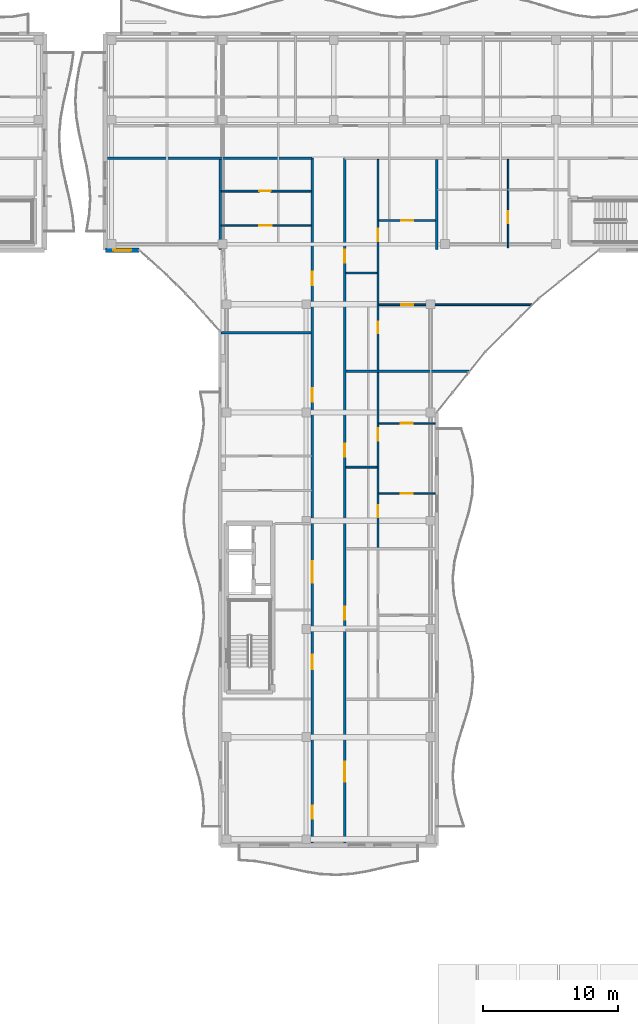
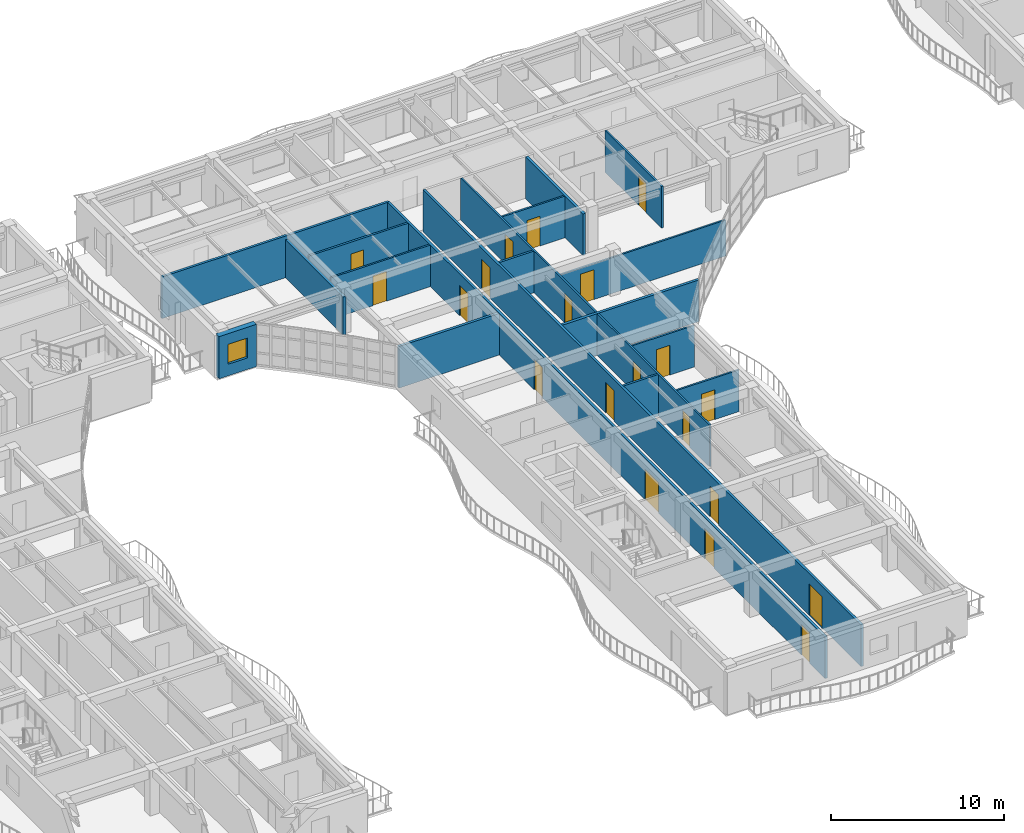
# One storey, part 51 of 89: 20 doors, 19 walls, 1 window, 21 openings.
"""IFC4 building model written with IfcOpenShell, lengths in metres."""

from ifc_helpers import new_model, si_unit, direction, frame, frame_2d, origin, place, context, subcontext, project, spatial, rectangle, extrude, material, layer, layer_set, type_object, element, fill, save


model = new_model("IFC4")

# Units and contexts
model_context = context("Model", 3, precision=1e-05, world=origin(), true_north=direction((0.0, 1.0)))
body_context = subcontext(model_context, "Body", "Model", "MODEL_VIEW")
ifc_project = project(units=[si_unit("LENGTHUNIT", "METRE"), si_unit("AREAUNIT", "SQUARE_METRE"), si_unit("VOLUMEUNIT", "CUBIC_METRE"), si_unit("PLANEANGLEUNIT", "RADIAN"), si_unit("MASSUNIT", "GRAM", prefix="KILO")], contexts=[model_context])

# Site, building, storey
site_placement = place(None, origin())
site = spatial("IfcSite", under=ifc_project, at=site_placement, CompositionType="ELEMENT")
building_placement = place(site_placement, origin())
building = spatial("IfcBuilding", under=site, at=building_placement, Name="Keldmere Railside Commons", CompositionType="ELEMENT")
storey_placement = place(building_placement, frame((0.0, 0.0, 7.360107421875)))
storey = spatial("IfcBuildingStorey", under=building, at=storey_placement, Name="L02", CompositionType="ELEMENT", Elevation=7.360107421875)

# Walls
ifc_material_1 = material(Name="Acoustic Gypsum Board Partition", Category="gypsum")
ifc_layer_1 = layer(ifc_material_1, 0.179931640625, Name="Acoustic Demising Partition 180")
ifc_layer_set_1 = layer_set([ifc_layer_1], Name="Acoustic Gypsum Board Partition")
wall_type_1 = type_object("IfcWallType", Name="Acoustic Demising Partition 180", PredefinedType="PARTITIONING", material=ifc_layer_set_1)
wall_1_placement = place(storey_placement, frame((64.0, 100.050048828125, 0.0), z_axis=(0.0, 0.0, 1.0), x_axis=(0.0, 1.0, 0.0)))
element("IfcWall", 1, at=wall_1_placement, inside=storey, type_object=wall_type_1, Name="IW-1 IW-L02-0555", PredefinedType="PARTITIONING", context=body_context, shape_type="SweptSolid", body=[
    extrude(rectangle(XDim=6.669921875, YDim=0.179931640625, at=frame_2d((3.3349609375, 0.0))), origin(), (0.0, 0.0, 1.0), 2.934814453125),
])
wall_2_placement = place(storey_placement, frame((48.0, 100.050048828125, 0.0), z_axis=(0.0, 0.0, 1.0), x_axis=(0.0, 1.0, 0.0)))
element("IfcWall", 2, at=wall_2_placement, inside=storey, type_object=wall_type_1, Name="IW-1 IW-L02-0556", PredefinedType="PARTITIONING", context=body_context, shape_type="SweptSolid", body=[
    extrude(rectangle(XDim=6.669921875, YDim=0.179931640625, at=frame_2d((3.3349609375, 0.0))), origin(), (0.0, 0.0, 1.0), 2.679931640625),
])
wall_3_placement = place(storey_placement, frame((57.280029296875, 91.050048828125, 0.0), z_axis=(0.0, 0.0, 1.0), x_axis=(1.0, 0.0, 0.0)))
element("IfcWall", 3, at=wall_3_placement, inside=storey, type_object=wall_type_1, Name="IW-1 IW-L02-0561", PredefinedType="PARTITIONING", context=body_context, shape_type="SweptSolid", body=[
    extrude(rectangle(XDim=9.115478515625, YDim=0.179931640625, at=frame_2d((4.5576171875, 0.0))), origin(), (0.0, 0.0, 1.0), 2.934814453125),
])
wall_4_placement = place(storey_placement, frame((48.0400390625, 93.89990234375, 0.0), z_axis=(0.0, 0.0, 1.0), x_axis=(1.0, 0.0, 0.0)))
element("IfcWall", 4, at=wall_4_placement, inside=storey, type_object=wall_type_1, Name="IW-1 IW-L02-0587", PredefinedType="PARTITIONING", context=body_context, shape_type="SweptSolid", body=[
    extrude(rectangle(XDim=6.679931640625, YDim=0.179931640625, at=frame_2d((3.33984375, 0.0))), origin(), (0.0, 0.0, 1.0), 2.934814453125),
])

# Wall, openings, doors
ifc_layer_2 = layer(ifc_material_1, 0.1201171875, Name="Apartment Interior Partition 120")
ifc_layer_set_2 = layer_set([ifc_layer_2], Name="Acoustic Gypsum Board Partition")
wall_type_2 = type_object("IfcWallType", Name="Apartment Interior Partition 120", PredefinedType="PARTITIONING", material=ifc_layer_set_2)
wall_5_placement = place(storey_placement, frame((59.659912109375, 78.0, 0.0), z_axis=(0.0, 0.0, 1.0), x_axis=(0.0, 1.0, 0.0)))
wall_5 = element("IfcWall", 5, at=wall_5_placement, inside=storey, type_object=wall_type_2, Name="IW-4 IW-L02-0565", PredefinedType="PARTITIONING", context=body_context, shape_type="SweptSolid", body=[
    extrude(rectangle(XDim=12.9599609375, YDim=0.1201171875, at=frame_2d((6.47998046875, 0.0))), origin(), (0.0, 0.0, 1.0), 2.934814453125),
])
opening_1_placement = place(wall_5_placement, frame((2.264892578125, 0.0, 0.0)))
opening_1 = element("IfcOpeningElement", 6, at=opening_1_placement, cuts=wall_5, Name="Opening ID-04", PredefinedType="OPENING", context=body_context, shape_type="SweptSolid", body=[
    extrude(rectangle(XDim=0.860107421875, YDim=2.10009765625, at=frame_2d((0.43017578125, 1.050048828125))), frame((0.0, 0.070068359375, 0.0), z_axis=(0.0, -1.0, 0.0), x_axis=(1.0, 0.0, 0.0)), (0.0, 0.0, 1.0), 0.14013671875),
])
opening_2_placement = place(wall_5_placement, frame((7.919921875, 0.0, 0.0)))
opening_2 = element("IfcOpeningElement", 7, at=opening_2_placement, cuts=wall_5, Name="Opening ID-03", PredefinedType="OPENING", context=body_context, shape_type="SweptSolid", body=[
    extrude(rectangle(XDim=0.919921875, YDim=2.10009765625, at=frame_2d((0.4599609375, 1.050048828125))), frame((0.0, 0.070068359375, 0.0), z_axis=(0.0, -1.0, 0.0), x_axis=(1.0, 0.0, 0.0)), (0.0, 0.0, 1.0), 0.14013671875),
])
ifc_material_2 = material(Name="Engineered Oak Timber", Category="wood")
door_type_1 = type_object("IfcDoorType", Name="Apartment Bathroom Door 860x2100", OperationType="NOTDEFINED", PredefinedType="DOOR", material=ifc_material_2)
door_1_placement = place(opening_1_placement, origin())
door_1 = element("IfcDoor", 8, at=door_1_placement, inside=storey, type_object=door_type_1, Name="ID-04 IDR-L02-0453", OperationType="SINGLE_SWING_LEFT", OverallHeight=2.10009765625, OverallWidth=0.860107421875, PredefinedType="DOOR", context=body_context, shape_type="SweptSolid", body=[
    extrude(rectangle(XDim=0.860107421875, YDim=2.10009765625, at=frame_2d((0.43017578125, 1.050048828125))), frame((0.0, 0.02490234375, 0.0), z_axis=(0.0, -1.0, 0.0), x_axis=(1.0, 0.0, 0.0)), (0.0, 0.0, 1.0), 0.050048828125),
])
fill(opening_1, door_1)
door_type_2 = type_object("IfcDoorType", Name="Kitchen Pocket-Frame Swing Door 920x2100", OperationType="NOTDEFINED", PredefinedType="DOOR", material=ifc_material_2)
door_2_placement = place(opening_2_placement, origin())
door_2 = element("IfcDoor", 9, at=door_2_placement, inside=storey, type_object=door_type_2, Name="ID-03 IDR-L02-0454", OperationType="SINGLE_SWING_RIGHT", OverallHeight=2.10009765625, OverallWidth=0.919921875, PredefinedType="DOOR", context=body_context, shape_type="SweptSolid", body=[
    extrude(rectangle(XDim=0.919921875, YDim=2.10009765625, at=frame_2d((0.4599609375, 1.050048828125))), frame((0.0, 0.02490234375, 0.0), z_axis=(0.0, -1.0, 0.0), x_axis=(1.0, 0.0, 0.0)), (0.0, 0.0, 1.0), 0.050048828125),
])
fill(opening_2, door_2)

# Wall, opening, door
wall_6_placement = place(storey_placement, frame((59.719970703125, 82.02001953125, 0.0), z_axis=(0.0, 0.0, 1.0), x_axis=(1.0, 0.0, 0.0)))
wall_6 = element("IfcWall", 10, at=wall_6_placement, inside=storey, type_object=wall_type_2, Name="IW-4 IW-L02-0567", PredefinedType="PARTITIONING", context=body_context, shape_type="SweptSolid", body=[
    extrude(rectangle(XDim=4.159912109375, YDim=0.1201171875, at=frame_2d((2.080078125, 0.0))), origin(), (0.0, 0.0, 1.0), 2.934814453125),
])
opening_3_placement = place(wall_6_placement, frame((1.6298828125, 0.0, 0.0)))
opening_3 = element("IfcOpeningElement", 11, at=opening_3_placement, cuts=wall_6, Name="Opening ID-01", PredefinedType="OPENING", context=body_context, shape_type="SweptSolid", body=[
    extrude(rectangle(XDim=0.89990234375, YDim=2.10009765625, at=frame_2d((0.449951171875, 1.050048828125))), frame((0.0, 0.070068359375, 0.0), z_axis=(0.0, -1.0, 0.0), x_axis=(1.0, 0.0, 0.0)), (0.0, 0.0, 1.0), 0.14013671875),
])
door_type_3 = type_object("IfcDoorType", Name="Primary Bedroom Door 900x2100", OperationType="NOTDEFINED", PredefinedType="DOOR", material=ifc_material_2)
door_3_placement = place(opening_3_placement, origin())
door_3 = element("IfcDoor", 12, at=door_3_placement, inside=storey, type_object=door_type_3, Name="ID-01 IDR-L02-0456", OperationType="SINGLE_SWING_RIGHT", OverallHeight=2.10009765625, OverallWidth=0.89990234375, PredefinedType="DOOR", context=body_context, shape_type="SweptSolid", body=[
    extrude(rectangle(XDim=0.89990234375, YDim=2.10009765625, at=frame_2d((0.449951171875, 1.050048828125))), frame((0.0, 0.02490234375, 0.0), z_axis=(0.0, -1.0, 0.0), x_axis=(1.0, 0.0, 0.0)), (0.0, 0.0, 1.0), 0.050048828125),
])
fill(opening_3, door_3)

wall_7_placement = place(storey_placement, frame((59.719970703125, 87.199951171875, 0.0), z_axis=(0.0, 0.0, 1.0), x_axis=(1.0, 0.0, 0.0)))
wall_7 = element("IfcWall", 13, at=wall_7_placement, inside=storey, type_object=wall_type_2, Name="IW-4 IW-L02-0568", PredefinedType="PARTITIONING", context=body_context, shape_type="SweptSolid", body=[
    extrude(rectangle(XDim=4.159912109375, YDim=0.1201171875, at=frame_2d((2.080078125, 0.0))), origin(), (0.0, 0.0, 1.0), 2.934814453125),
])
opening_4_placement = place(wall_7_placement, frame((1.639892578125, 0.0, 0.0)))
opening_4 = element("IfcOpeningElement", 14, at=opening_4_placement, cuts=wall_7, Name="Opening ID-02", PredefinedType="OPENING", context=body_context, shape_type="SweptSolid", body=[
    extrude(rectangle(XDim=0.8798828125, YDim=2.10009765625, at=frame_2d((0.43994140625, 1.050048828125))), frame((0.0, 0.070068359375, 0.0), z_axis=(0.0, -1.0, 0.0), x_axis=(1.0, 0.0, 0.0)), (0.0, 0.0, 1.0), 0.14013671875),
])
door_type_4 = type_object("IfcDoorType", Name="Secondary Bedroom Door 880x2100", OperationType="NOTDEFINED", PredefinedType="DOOR", material=ifc_material_2)
door_4_placement = place(opening_4_placement, origin())
door_4 = element("IfcDoor", 15, at=door_4_placement, inside=storey, type_object=door_type_4, Name="ID-02 IDR-L02-0457", OperationType="SINGLE_SWING_LEFT", OverallHeight=2.10009765625, OverallWidth=0.8798828125, PredefinedType="DOOR", context=body_context, shape_type="SweptSolid", body=[
    extrude(rectangle(XDim=0.8798828125, YDim=2.10009765625, at=frame_2d((0.43994140625, 1.050048828125))), frame((0.0, 0.02490234375, 0.0), z_axis=(0.0, -1.0, 0.0), x_axis=(1.0, 0.0, 0.0)), (0.0, 0.0, 1.0), 0.050048828125),
])
fill(opening_4, door_4)

# Wall, openings, doors
wall_8_placement = place(storey_placement, frame((59.659912109375, 91.139892578125, 0.0), z_axis=(0.0, 0.0, 1.0), x_axis=(0.0, 1.0, 0.0)))
wall_8 = element("IfcWall", 16, at=wall_8_placement, inside=storey, type_object=wall_type_2, Name="IW-4 IW-L02-0569", PredefinedType="PARTITIONING", context=body_context, shape_type="SweptSolid", body=[
    extrude(rectangle(XDim=15.580078125, YDim=0.1201171875, at=frame_2d((7.7900390625, 0.0))), origin(), (0.0, 0.0, 1.0), 2.934814453125),
])
opening_5_placement = place(wall_8_placement, frame((2.724609375, 0.0, 0.0)))
opening_5 = element("IfcOpeningElement", 17, at=opening_5_placement, cuts=wall_8, Name="Opening ID-04", PredefinedType="OPENING", context=body_context, shape_type="SweptSolid", body=[
    extrude(rectangle(XDim=0.860107421875, YDim=2.10009765625, at=frame_2d((0.43017578125, 1.050048828125))), frame((0.0, 0.070068359375, 0.0), z_axis=(0.0, -1.0, 0.0), x_axis=(1.0, 0.0, 0.0)), (0.0, 0.0, 1.0), 0.14013671875),
])
opening_6_placement = place(wall_8_placement, frame((9.52490234375, 0.0, 0.0)))
opening_6 = element("IfcOpeningElement", 18, at=opening_6_placement, cuts=wall_8, Name="Opening ID-03", PredefinedType="OPENING", context=body_context, shape_type="SweptSolid", body=[
    extrude(rectangle(XDim=0.919921875, YDim=2.10009765625, at=frame_2d((0.4599609375, 1.050048828125))), frame((0.0, 0.070068359375, 0.0), z_axis=(0.0, -1.0, 0.0), x_axis=(1.0, 0.0, 0.0)), (0.0, 0.0, 1.0), 0.14013671875),
])
door_5_placement = place(opening_5_placement, origin())
door_5 = element("IfcDoor", 19, at=door_5_placement, inside=storey, type_object=door_type_1, Name="ID-04 IDR-L02-0458", OperationType="SINGLE_SWING_RIGHT", OverallHeight=2.10009765625, OverallWidth=0.860107421875, PredefinedType="DOOR", context=body_context, shape_type="SweptSolid", body=[
    extrude(rectangle(XDim=0.860107421875, YDim=2.10009765625, at=frame_2d((0.43017578125, 1.050048828125))), frame((0.0, 0.02490234375, 0.0), z_axis=(0.0, -1.0, 0.0), x_axis=(1.0, 0.0, 0.0)), (0.0, 0.0, 1.0), 0.050048828125),
])
fill(opening_5, door_5)
door_6_placement = place(opening_6_placement, origin())
door_6 = element("IfcDoor", 20, at=door_6_placement, inside=storey, type_object=door_type_2, Name="ID-03 IDR-L02-0459", OperationType="SINGLE_SWING_LEFT", OverallHeight=2.10009765625, OverallWidth=0.919921875, PredefinedType="DOOR", context=body_context, shape_type="SweptSolid", body=[
    extrude(rectangle(XDim=0.919921875, YDim=2.10009765625, at=frame_2d((0.4599609375, 1.050048828125))), frame((0.0, 0.02490234375, 0.0), z_axis=(0.0, -1.0, 0.0), x_axis=(1.0, 0.0, 0.0)), (0.0, 0.0, 1.0), 0.050048828125),
])
fill(opening_6, door_6)

# Wall, opening, door
wall_9_placement = place(storey_placement, frame((59.719970703125, 95.969970703125, 0.0), z_axis=(0.0, 0.0, 1.0), x_axis=(1.0, 0.0, 0.0)))
wall_9 = element("IfcWall", 21, at=wall_9_placement, inside=storey, type_object=wall_type_2, Name="IW-4 IW-L02-0571", PredefinedType="PARTITIONING", context=body_context, shape_type="SweptSolid", body=[
    extrude(rectangle(XDim=11.3173828125, YDim=0.1201171875, at=frame_2d((5.65869140625, 0.0))), origin(), (0.0, 0.0, 1.0), 2.52978515625),
])
opening_7_placement = place(wall_9_placement, frame((1.64501953125, 0.0, 0.0)))
opening_7 = element("IfcOpeningElement", 22, at=opening_7_placement, cuts=wall_9, Name="Opening ID-01", PredefinedType="OPENING", context=body_context, shape_type="SweptSolid", body=[
    extrude(rectangle(XDim=0.89990234375, YDim=2.10009765625, at=frame_2d((0.449951171875, 1.050048828125))), frame((0.0, 0.070068359375, 0.0), z_axis=(0.0, -1.0, 0.0), x_axis=(1.0, 0.0, 0.0)), (0.0, 0.0, 1.0), 0.14013671875),
])
door_7_placement = place(opening_7_placement, origin())
door_7 = element("IfcDoor", 23, at=door_7_placement, inside=storey, type_object=door_type_3, Name="ID-01 IDR-L02-0461", OperationType="SINGLE_SWING_LEFT", OverallHeight=2.10009765625, OverallWidth=0.89990234375, PredefinedType="DOOR", context=body_context, shape_type="SweptSolid", body=[
    extrude(rectangle(XDim=0.89990234375, YDim=2.10009765625, at=frame_2d((0.449951171875, 1.050048828125))), frame((0.0, 0.02490234375, 0.0), z_axis=(0.0, -1.0, 0.0), x_axis=(1.0, 0.0, 0.0)), (0.0, 0.0, 1.0), 0.050048828125),
])
fill(opening_7, door_7)

wall_10_placement = place(storey_placement, frame((59.719970703125, 102.199951171875, 0.0), z_axis=(0.0, 0.0, 1.0), x_axis=(1.0, 0.0, 0.0)))
wall_10 = element("IfcWall", 24, at=wall_10_placement, inside=storey, type_object=wall_type_2, Name="IW-4 IW-L02-0572", PredefinedType="PARTITIONING", context=body_context, shape_type="SweptSolid", body=[
    extrude(rectangle(XDim=4.18994140625, YDim=0.1201171875, at=frame_2d((2.094970703125, 0.0))), origin(), (0.0, 0.0, 1.0), 2.934814453125),
])
opening_8_placement = place(wall_10_placement, frame((1.655029296875, 0.0, 0.0)))
opening_8 = element("IfcOpeningElement", 25, at=opening_8_placement, cuts=wall_10, Name="Opening ID-02", PredefinedType="OPENING", context=body_context, shape_type="SweptSolid", body=[
    extrude(rectangle(XDim=0.8798828125, YDim=2.10009765625, at=frame_2d((0.43994140625, 1.050048828125))), frame((0.0, 0.070068359375, 0.0), z_axis=(0.0, -1.0, 0.0), x_axis=(1.0, 0.0, 0.0)), (0.0, 0.0, 1.0), 0.14013671875),
])
door_8_placement = place(opening_8_placement, origin())
door_8 = element("IfcDoor", 26, at=door_8_placement, inside=storey, type_object=door_type_4, Name="ID-02 IDR-L02-0462", OperationType="SINGLE_SWING_RIGHT", OverallHeight=2.10009765625, OverallWidth=0.8798828125, PredefinedType="DOOR", context=body_context, shape_type="SweptSolid", body=[
    extrude(rectangle(XDim=0.8798828125, YDim=2.10009765625, at=frame_2d((0.43994140625, 1.050048828125))), frame((0.0, 0.02490234375, 0.0), z_axis=(0.0, -1.0, 0.0), x_axis=(1.0, 0.0, 0.0)), (0.0, 0.0, 1.0), 0.050048828125),
])
fill(opening_8, door_8)

wall_11_placement = place(storey_placement, frame((69.280029296875, 100.179931640625, 0.0), z_axis=(0.0, 0.0, 1.0), x_axis=(0.0, 1.0, 0.0)))
wall_11 = element("IfcWall", 27, at=wall_11_placement, inside=storey, type_object=wall_type_2, Name="IW-4 IW-L02-0584", PredefinedType="PARTITIONING", context=body_context, shape_type="SweptSolid", body=[
    extrude(rectangle(XDim=6.5400390625, YDim=0.1201171875, at=frame_2d((3.27001953125, 0.0))), origin(), (0.0, 0.0, 1.0), 2.934814453125),
])
opening_9_placement = place(wall_11_placement, frame((1.8017578125, 0.0, 0.0)))
opening_9 = element("IfcOpeningElement", 28, at=opening_9_placement, cuts=wall_11, Name="Opening ID-02", PredefinedType="OPENING", context=body_context, shape_type="SweptSolid", body=[
    extrude(rectangle(XDim=0.8798828125, YDim=2.10009765625, at=frame_2d((0.43994140625, 1.050048828125))), frame((0.0, 0.070068359375, 0.0), z_axis=(0.0, -1.0, 0.0), x_axis=(1.0, 0.0, 0.0)), (0.0, 0.0, 1.0), 0.14013671875),
])
door_9_placement = place(opening_9_placement, origin())
door_9 = element("IfcDoor", 29, at=door_9_placement, inside=storey, type_object=door_type_4, Name="ID-02 IDR-L02-0480", OperationType="SINGLE_SWING_RIGHT", OverallHeight=2.10009765625, OverallWidth=0.8798828125, PredefinedType="DOOR", context=body_context, shape_type="SweptSolid", body=[
    extrude(rectangle(XDim=0.8798828125, YDim=2.10009765625, at=frame_2d((0.43994140625, 1.050048828125))), frame((0.0, 0.02490234375, 0.0), z_axis=(0.0, -1.0, 0.0), x_axis=(1.0, 0.0, 0.0)), (0.0, 0.0, 1.0), 0.050048828125),
])
fill(opening_9, door_9)

wall_12_placement = place(storey_placement, frame((48.090087890625, 101.820068359375, 0.0), z_axis=(0.0, 0.0, 1.0), x_axis=(1.0, 0.0, 0.0)))
wall_12 = element("IfcWall", 30, at=wall_12_placement, inside=storey, type_object=wall_type_2, Name="IW-4 IW-L02-0590", PredefinedType="PARTITIONING", context=body_context, shape_type="SweptSolid", body=[
    extrude(rectangle(XDim=6.6298828125, YDim=0.1201171875, at=frame_2d((3.31494140625, 0.0))), origin(), (0.0, 0.0, 1.0), 2.934814453125),
])
opening_10_placement = place(wall_12_placement, frame((2.78466796875, 0.0, 0.0)))
opening_10 = element("IfcOpeningElement", 31, at=opening_10_placement, cuts=wall_12, Name="Opening ID-03", PredefinedType="OPENING", context=body_context, shape_type="SweptSolid", body=[
    extrude(rectangle(XDim=0.919921875, YDim=2.10009765625, at=frame_2d((0.4599609375, 1.050048828125))), frame((0.0, 0.070068359375, 0.0), z_axis=(0.0, -1.0, 0.0), x_axis=(1.0, 0.0, 0.0)), (0.0, 0.0, 1.0), 0.14013671875),
])
door_10_placement = place(opening_10_placement, origin())
door_10 = element("IfcDoor", 32, at=door_10_placement, inside=storey, type_object=door_type_2, Name="ID-03 IDR-L02-0487", OperationType="SINGLE_SWING_LEFT", OverallHeight=2.10009765625, OverallWidth=0.919921875, PredefinedType="DOOR", context=body_context, shape_type="SweptSolid", body=[
    extrude(rectangle(XDim=0.919921875, YDim=2.10009765625, at=frame_2d((0.4599609375, 1.050048828125))), frame((0.0, 0.02490234375, 0.0), z_axis=(0.0, -1.0, 0.0), x_axis=(1.0, 0.0, 0.0)), (0.0, 0.0, 1.0), 0.050048828125),
])
fill(opening_10, door_10)

# Wall, openings, doors
ifc_layer_3 = layer(ifc_material_1, 0.159912109375, Name="Corridor Fire Partition 160")
ifc_layer_set_3 = layer_set([ifc_layer_3], Name="Acoustic Gypsum Board Partition")
wall_type_3 = type_object("IfcWallType", Name="Corridor Fire Partition 160", PredefinedType="PARTITIONING", material=ifc_layer_set_3)
wall_13_placement = place(storey_placement, frame((54.800048828125, 56.179931640625, 0.0), z_axis=(0.0, 0.0, 1.0), x_axis=(0.0, 1.0, 0.0)))
wall_13 = element("IfcWall", 33, at=wall_13_placement, inside=storey, type_object=wall_type_3, Name="IW-2 IW-L02-0550", PredefinedType="PARTITIONING", context=body_context, shape_type="SweptSolid", body=[
    extrude(rectangle(XDim=50.6201171875, YDim=0.159912109375, at=frame_2d((25.31005859375, 0.0))), origin(), (0.0, 0.0, 1.0), 2.934814453125),
])
opening_11_placement = place(wall_13_placement, frame((12.820068359375, 0.0, 0.0)))
opening_11 = element("IfcOpeningElement", 34, at=opening_11_placement, cuts=wall_13, Name="Opening FD-2", PredefinedType="OPENING", context=body_context, shape_type="SweptSolid", body=[
    extrude(rectangle(XDim=1.10009765625, YDim=2.14990234375, at=frame_2d((0.550048828125, 1.074951171875))), frame((0.0, 0.08984375, 0.0), z_axis=(0.0, -1.0, 0.0), x_axis=(1.0, 0.0, 0.0)), (0.0, 0.0, 1.0), 0.179931640625),
])
opening_12_placement = place(wall_13_placement, frame((19.219970703125, 0.0, 0.0)))
opening_12 = element("IfcOpeningElement", 35, at=opening_12_placement, cuts=wall_13, Name="Opening FD-4", PredefinedType="OPENING", context=body_context, shape_type="SweptSolid", body=[
    extrude(rectangle(XDim=1.60009765625, YDim=2.14990234375, at=frame_2d((0.800048828125, 1.074951171875))), frame((0.0, 0.08984375, 0.0), z_axis=(0.0, -1.0, 0.0), x_axis=(1.0, 0.0, 0.0)), (0.0, 0.0, 1.0), 0.179931640625),
])
opening_13_placement = place(wall_13_placement, frame((1.800048828125, 0.0, 0.0)))
opening_13 = element("IfcOpeningElement", 36, at=opening_13_placement, cuts=wall_13, Name="Opening ID-08", PredefinedType="OPENING", context=body_context, shape_type="SweptSolid", body=[
    extrude(rectangle(XDim=0.9599609375, YDim=2.14990234375, at=frame_2d((0.47998046875, 1.074951171875))), frame((0.0, 0.08984375, 0.0), z_axis=(0.0, -1.0, 0.0), x_axis=(1.0, 0.0, 0.0)), (0.0, 0.0, 1.0), 0.179931640625),
])
opening_14_placement = place(wall_13_placement, frame((32.625, 0.0, 0.0)))
opening_14 = element("IfcOpeningElement", 37, at=opening_14_placement, cuts=wall_13, Name="Opening FD-7", PredefinedType="OPENING", context=body_context, shape_type="SweptSolid", body=[
    extrude(rectangle(XDim=0.97998046875, YDim=2.14990234375, at=frame_2d((0.489990234375, 1.074951171875))), frame((0.0, 0.08984375, 0.0), z_axis=(0.0, -1.0, 0.0), x_axis=(1.0, 0.0, 0.0)), (0.0, 0.0, 1.0), 0.179931640625),
])
opening_15_placement = place(wall_13_placement, frame((41.235107421875, 0.0, 0.0)))
opening_15 = element("IfcOpeningElement", 38, at=opening_15_placement, cuts=wall_13, Name="Opening FD-7", PredefinedType="OPENING", context=body_context, shape_type="SweptSolid", body=[
    extrude(rectangle(XDim=0.97998046875, YDim=2.14990234375, at=frame_2d((0.489990234375, 1.074951171875))), frame((0.0, 0.08984375, 0.0), z_axis=(0.0, -1.0, 0.0), x_axis=(1.0, 0.0, 0.0)), (0.0, 0.0, 1.0), 0.179931640625),
])
door_type_5 = type_object("IfcDoorType", Name="Apartment Entrance Acoustic Fire Door 980x2150", OperationType="NOTDEFINED", PredefinedType="DOOR", material=ifc_material_2)
door_11_placement = place(opening_14_placement, origin())
door_11 = element("IfcDoor", 39, at=door_11_placement, inside=storey, type_object=door_type_5, Name="FD-7 IDR-L02-0485", OperationType="SINGLE_SWING_LEFT", OverallHeight=2.14990234375, OverallWidth=0.97998046875, PredefinedType="DOOR", context=body_context, shape_type="SweptSolid", body=[
    extrude(rectangle(XDim=0.97998046875, YDim=2.14990234375, at=frame_2d((0.489990234375, 1.074951171875))), frame((0.0, 0.02490234375, 0.0), z_axis=(0.0, -1.0, 0.0), x_axis=(1.0, 0.0, 0.0)), (0.0, 0.0, 1.0), 0.050048828125),
])
fill(opening_14, door_11)
door_12_placement = place(opening_15_placement, origin())
door_12 = element("IfcDoor", 40, at=door_12_placement, inside=storey, type_object=door_type_5, Name="FD-7 IDR-L02-0488", OperationType="SINGLE_SWING_RIGHT", OverallHeight=2.14990234375, OverallWidth=0.97998046875, PredefinedType="DOOR", context=body_context, shape_type="SweptSolid", body=[
    extrude(rectangle(XDim=0.97998046875, YDim=2.14990234375, at=frame_2d((0.489990234375, 1.074951171875))), frame((0.0, 0.02490234375, 0.0), z_axis=(0.0, -1.0, 0.0), x_axis=(1.0, 0.0, 0.0)), (0.0, 0.0, 1.0), 0.050048828125),
])
fill(opening_15, door_12)
ifc_material_3 = material(Name="Steel F-24 (S235)", Category="steel")
door_type_6 = type_object("IfcDoorType", Name="Corridor Cross-Compartment Double Fire Door 1600x2150", OperationType="DOUBLE_DOOR_SINGLE_SWING", PredefinedType="DOOR", material=ifc_material_3)
door_13_placement = place(opening_12_placement, origin())
door_13 = element("IfcDoor", 41, at=door_13_placement, inside=storey, type_object=door_type_6, Name="FD-4 IDR-L02-0447", OperationType="DOUBLE_DOOR_SINGLE_SWING", OverallHeight=2.14990234375, OverallWidth=1.60009765625, PredefinedType="DOOR", context=body_context, shape_type="SweptSolid", body=[
    extrude(rectangle(XDim=1.60009765625, YDim=2.14990234375, at=frame_2d((0.800048828125, 1.074951171875))), frame((0.0, 0.02490234375, 0.0), z_axis=(0.0, -1.0, 0.0), x_axis=(1.0, 0.0, 0.0)), (0.0, 0.0, 1.0), 0.050048828125),
])
fill(opening_12, door_13)
door_type_7 = type_object("IfcDoorType", Name="Firefighting Lobby Fire Door 1100x2150", OperationType="NOTDEFINED", PredefinedType="DOOR", material=ifc_material_3)
door_14_placement = place(opening_11_placement, origin())
door_14 = element("IfcDoor", 42, at=door_14_placement, inside=storey, type_object=door_type_7, Name="FD-2 IDR-L02-0446", OperationType="SINGLE_SWING_RIGHT", OverallHeight=2.14990234375, OverallWidth=1.10009765625, PredefinedType="DOOR", context=body_context, shape_type="SweptSolid", body=[
    extrude(rectangle(XDim=1.10009765625, YDim=2.14990234375, at=frame_2d((0.550048828125, 1.074951171875))), frame((0.0, 0.02490234375, 0.0), z_axis=(0.0, -1.0, 0.0), x_axis=(1.0, 0.0, 0.0)), (0.0, 0.0, 1.0), 0.050048828125),
])
fill(opening_11, door_14)
door_type_8 = type_object("IfcDoorType", Name="Study & Meeting Room Door 960x2150", OperationType="NOTDEFINED", PredefinedType="DOOR", material=ifc_material_2)
door_15_placement = place(opening_13_placement, origin())
door_15 = element("IfcDoor", 43, at=door_15_placement, inside=storey, type_object=door_type_8, Name="ID-08 IDR-L02-0482", OperationType="SINGLE_SWING_RIGHT", OverallHeight=2.14990234375, OverallWidth=0.9599609375, PredefinedType="DOOR", context=body_context, shape_type="SweptSolid", body=[
    extrude(rectangle(XDim=0.9599609375, YDim=2.14990234375, at=frame_2d((0.47998046875, 1.074951171875))), frame((0.0, 0.02490234375, 0.0), z_axis=(0.0, -1.0, 0.0), x_axis=(1.0, 0.0, 0.0)), (0.0, 0.0, 1.0), 0.050048828125),
])
fill(opening_13, door_15)

wall_14_placement = place(storey_placement, frame((57.199951171875, 56.179931640625, 0.0), z_axis=(0.0, 0.0, 1.0), x_axis=(0.0, 1.0, 0.0)))
wall_14 = element("IfcWall", 44, at=wall_14_placement, inside=storey, type_object=wall_type_3, Name="IW-2 IW-L02-0551", PredefinedType="PARTITIONING", context=body_context, shape_type="SweptSolid", body=[
    extrude(rectangle(XDim=50.6201171875, YDim=0.159912109375, at=frame_2d((25.31005859375, 0.0))), origin(), (0.0, 0.0, 1.0), 2.934814453125),
])
opening_16_placement = place(wall_14_placement, frame((4.510009765625, 0.0, 0.0)))
opening_16 = element("IfcOpeningElement", 45, at=opening_16_placement, cuts=wall_14, Name="Opening ID-07", PredefinedType="OPENING", context=body_context, shape_type="SweptSolid", body=[
    extrude(rectangle(XDim=1.5, YDim=2.199951171875, at=frame_2d((0.75, 1.10009765625))), frame((0.0, 0.08984375, 0.0), z_axis=(0.0, -1.0, 0.0), x_axis=(1.0, 0.0, 0.0)), (0.0, 0.0, 1.0), 0.179931640625),
])
opening_17_placement = place(wall_14_placement, frame((16.47998046875, 0.0, 0.0)))
opening_17 = element("IfcOpeningElement", 46, at=opening_17_placement, cuts=wall_14, Name="Opening FD-7", PredefinedType="OPENING", context=body_context, shape_type="SweptSolid", body=[
    extrude(rectangle(XDim=0.97998046875, YDim=2.14990234375, at=frame_2d((0.489990234375, 1.074951171875))), frame((0.0, 0.08984375, 0.0), z_axis=(0.0, -1.0, 0.0), x_axis=(1.0, 0.0, 0.0)), (0.0, 0.0, 1.0), 0.179931640625),
])
opening_18_placement = place(wall_14_placement, frame((28.530029296875, 0.0, 0.0)))
opening_18 = element("IfcOpeningElement", 47, at=opening_18_placement, cuts=wall_14, Name="Opening FD-7", PredefinedType="OPENING", context=body_context, shape_type="SweptSolid", body=[
    extrude(rectangle(XDim=0.97998046875, YDim=2.14990234375, at=frame_2d((0.489990234375, 1.074951171875))), frame((0.0, 0.08984375, 0.0), z_axis=(0.0, -1.0, 0.0), x_axis=(1.0, 0.0, 0.0)), (0.0, 0.0, 1.0), 0.179931640625),
])
opening_19_placement = place(wall_14_placement, frame((42.8798828125, 0.0, 0.0)))
opening_19 = element("IfcOpeningElement", 48, at=opening_19_placement, cuts=wall_14, Name="Opening FD-7", PredefinedType="OPENING", context=body_context, shape_type="SweptSolid", body=[
    extrude(rectangle(XDim=0.97998046875, YDim=2.14990234375, at=frame_2d((0.489990234375, 1.074951171875))), frame((0.0, 0.08984375, 0.0), z_axis=(0.0, -1.0, 0.0), x_axis=(1.0, 0.0, 0.0)), (0.0, 0.0, 1.0), 0.179931640625),
])
door_16_placement = place(opening_17_placement, origin())
door_16 = element("IfcDoor", 49, at=door_16_placement, inside=storey, type_object=door_type_5, Name="FD-7 IDR-L02-0451", OperationType="SINGLE_SWING_LEFT", OverallHeight=2.14990234375, OverallWidth=0.97998046875, PredefinedType="DOOR", context=body_context, shape_type="SweptSolid", body=[
    extrude(rectangle(XDim=0.97998046875, YDim=2.14990234375, at=frame_2d((0.489990234375, 1.074951171875))), frame((0.0, 0.02490234375, 0.0), z_axis=(0.0, -1.0, 0.0), x_axis=(1.0, 0.0, 0.0)), (0.0, 0.0, 1.0), 0.050048828125),
])
fill(opening_17, door_16)
door_17_placement = place(opening_18_placement, origin())
door_17 = element("IfcDoor", 50, at=door_17_placement, inside=storey, type_object=door_type_5, Name="FD-7 IDR-L02-0455", OperationType="SINGLE_SWING_LEFT", OverallHeight=2.14990234375, OverallWidth=0.97998046875, PredefinedType="DOOR", context=body_context, shape_type="SweptSolid", body=[
    extrude(rectangle(XDim=0.97998046875, YDim=2.14990234375, at=frame_2d((0.489990234375, 1.074951171875))), frame((0.0, 0.02490234375, 0.0), z_axis=(0.0, -1.0, 0.0), x_axis=(1.0, 0.0, 0.0)), (0.0, 0.0, 1.0), 0.050048828125),
])
fill(opening_18, door_17)
door_18_placement = place(opening_19_placement, origin())
door_18 = element("IfcDoor", 51, at=door_18_placement, inside=storey, type_object=door_type_5, Name="FD-7 IDR-L02-0460", OperationType="SINGLE_SWING_RIGHT", OverallHeight=2.14990234375, OverallWidth=0.97998046875, PredefinedType="DOOR", context=body_context, shape_type="SweptSolid", body=[
    extrude(rectangle(XDim=0.97998046875, YDim=2.14990234375, at=frame_2d((0.489990234375, 1.074951171875))), frame((0.0, 0.02490234375, 0.0), z_axis=(0.0, -1.0, 0.0), x_axis=(1.0, 0.0, 0.0)), (0.0, 0.0, 1.0), 0.050048828125),
])
fill(opening_19, door_18)
door_type_9 = type_object("IfcDoorType", Name="Resident Lounge Double Door 1500x2200", OperationType="DOUBLE_DOOR_SINGLE_SWING", PredefinedType="DOOR", material=ifc_material_2)
door_19_placement = place(opening_16_placement, origin())
door_19 = element("IfcDoor", 52, at=door_19_placement, inside=storey, type_object=door_type_9, Name="ID-07 IDR-L02-0448", OperationType="DOUBLE_DOOR_SINGLE_SWING", OverallHeight=2.199951171875, OverallWidth=1.5, PredefinedType="DOOR", context=body_context, shape_type="SweptSolid", body=[
    extrude(rectangle(XDim=1.5, YDim=2.199951171875, at=frame_2d((0.75, 1.10009765625))), frame((0.0, 0.02490234375, 0.0), z_axis=(0.0, -1.0, 0.0), x_axis=(1.0, 0.0, 0.0)), (0.0, 0.0, 1.0), 0.050048828125),
])
fill(opening_16, door_19)

# Wall
wall_15_placement = place(storey_placement, frame((39.679931640625, 106.800048828125, 0.0), z_axis=(0.0, 0.0, 1.0), x_axis=(1.0, 0.0, 0.0)))
element("IfcWall", 53, at=wall_15_placement, inside=storey, type_object=wall_type_3, Name="IW-2 IW-L02-0552", PredefinedType="PARTITIONING", context=body_context, shape_type="SweptSolid", body=[
    extrude(rectangle(XDim=15.1201171875, YDim=0.159912109375, at=frame_2d((7.56005859375, 0.0))), origin(), (0.0, 0.0, 1.0), 2.934814453125),
])

# Wall, opening, window
ifc_material_4 = material(Name="Concrete H-35 (C35/45)", Category="concrete")
ifc_layer_4 = layer(ifc_material_4, 0.360107421875, Name="Exterior Shear Wall 360")
ifc_layer_set_4 = layer_set([ifc_layer_4], Name="Concrete H-35 (C35/45)")
wall_type_4 = type_object("IfcWallType", Name="Exterior Shear Wall 360", PredefinedType="SHEAR", material=ifc_layer_set_4)
wall_16_placement = place(storey_placement, frame((42.0, 100.0, 0.0), z_axis=(0.0, 0.0, 1.0), x_axis=(-1.0, 0.0, 0.0)))
wall_16 = element("IfcWall", 54, at=wall_16_placement, inside=storey, type_object=wall_type_4, Name="ESW-1 EXTC-L02-0341", PredefinedType="SHEAR", context=body_context, shape_type="SweptSolid", body=[
    extrude(rectangle(XDim=2.5, YDim=0.360107421875, at=frame_2d((1.25, 0.0))), origin(), (0.0, 0.0, 1.0), 2.97998046875),
])
opening_20_placement = place(wall_16_placement, frame((0.60009765625, 0.0, 0.820068359375)))
opening_20 = element("IfcOpeningElement", 55, at=opening_20_placement, cuts=wall_16, Name="Opening WN-10", PredefinedType="OPENING", context=body_context, shape_type="SweptSolid", body=[
    extrude(rectangle(XDim=1.300048828125, YDim=1.39990234375, at=frame_2d((0.64990234375, 0.699951171875))), frame((0.0, 0.18994140625, 0.0), z_axis=(0.0, -1.0, 0.0), x_axis=(1.0, 0.0, 0.0)), (0.0, 0.0, 1.0), 0.380126953125),
])
ifc_material_5 = material(Name="Low-E Insulated Double Glazing", Category="glass")
window_type = type_object("IfcWindowType", Name="Secondary Bedroom Court Window 1300x1400", PartitioningType="SINGLE_PANEL", PredefinedType="WINDOW", material=ifc_material_5)
window_placement = place(opening_20_placement, origin())
window = element("IfcWindow", 56, at=window_placement, inside=storey, type_object=window_type, Name="WN-10 WIN-L02-0206", OverallHeight=1.39990234375, OverallWidth=1.300048828125, PartitioningType="SINGLE_PANEL", PredefinedType="WINDOW", context=body_context, shape_type="SweptSolid", body=[
    extrude(rectangle(XDim=1.300048828125, YDim=1.39990234375, at=frame_2d((0.64990234375, 0.699951171875))), frame((0.0, 0.030029296875, 0.0), z_axis=(0.0, -1.0, 0.0), x_axis=(1.0, 0.0, 0.0)), (0.0, 0.0, 1.0), 0.06005859375),
])
fill(opening_20, window)

# Walls
ifc_layer_5 = layer(ifc_material_1, 0.139892578125, Name="Wet-Room Sanitary Partition 140")
ifc_layer_set_5 = layer_set([ifc_layer_5], Name="Acoustic Gypsum Board Partition")
wall_type_5 = type_object("IfcWallType", Name="Wet-Room Sanitary Partition 140", PredefinedType="PARTITIONING", material=ifc_layer_set_5)
for number, where, z_axis, x_axis, name in (
    (57, (57.280029296875, 83.9599609375, 0.0), (0.0, 0.0, 1.0), (1.0, 0.0, 0.0), "IW-5 IW-L02-0566"),
    (58, (57.280029296875, 98.31005859375, 0.0), (0.0, 0.0, 1.0), (1.0, 0.0, 0.0), "IW-5 IW-L02-0570"),
):
    element("IfcWall", number, at=place(storey_placement, frame(where, z_axis=z_axis, x_axis=x_axis)), inside=storey, type_object=wall_type_5, Name=name, PredefinedType="PARTITIONING", context=body_context, shape_type="SweptSolid", body=[
        extrude(rectangle(XDim=2.320068359375, YDim=0.139892578125, at=frame_2d((1.16015625, 0.0))), origin(), (0.0, 0.0, 1.0), 2.934814453125),
    ])

# Wall, opening, door
wall_17_placement = place(storey_placement, frame((48.090087890625, 104.3701171875, 0.0), z_axis=(0.0, 0.0, 1.0), x_axis=(1.0, 0.0, 0.0)))
wall_17 = element("IfcWall", 59, at=wall_17_placement, inside=storey, type_object=wall_type_5, Name="IW-5 IW-L02-0591", PredefinedType="PARTITIONING", context=body_context, shape_type="SweptSolid", body=[
    extrude(rectangle(XDim=6.6298828125, YDim=0.139892578125, at=frame_2d((3.31494140625, 0.0))), origin(), (0.0, 0.0, 1.0), 2.934814453125),
])
opening_21_placement = place(wall_17_placement, frame((2.78466796875, 0.0, 0.0)))
opening_21 = element("IfcOpeningElement", 60, at=opening_21_placement, cuts=wall_17, Name="Opening ID-04", PredefinedType="OPENING", context=body_context, shape_type="SweptSolid", body=[
    extrude(rectangle(XDim=0.860107421875, YDim=2.10009765625, at=frame_2d((0.43017578125, 1.050048828125))), frame((0.0, 0.079833984375, 0.0), z_axis=(0.0, -1.0, 0.0), x_axis=(1.0, 0.0, 0.0)), (0.0, 0.0, 1.0), 0.159912109375),
])
door_20_placement = place(opening_21_placement, origin())
door_20 = element("IfcDoor", 61, at=door_20_placement, inside=storey, type_object=door_type_1, Name="ID-04 IDR-L02-0486", OperationType="SINGLE_SWING_RIGHT", OverallHeight=2.10009765625, OverallWidth=0.860107421875, PredefinedType="DOOR", context=body_context, shape_type="SweptSolid", body=[
    extrude(rectangle(XDim=0.860107421875, YDim=2.10009765625, at=frame_2d((0.43017578125, 1.050048828125))), frame((0.0, 0.02490234375, 0.0), z_axis=(0.0, -1.0, 0.0), x_axis=(1.0, 0.0, 0.0)), (0.0, 0.0, 1.0), 0.050048828125),
])
fill(opening_21, door_20)

save(model, "model.ifc")
